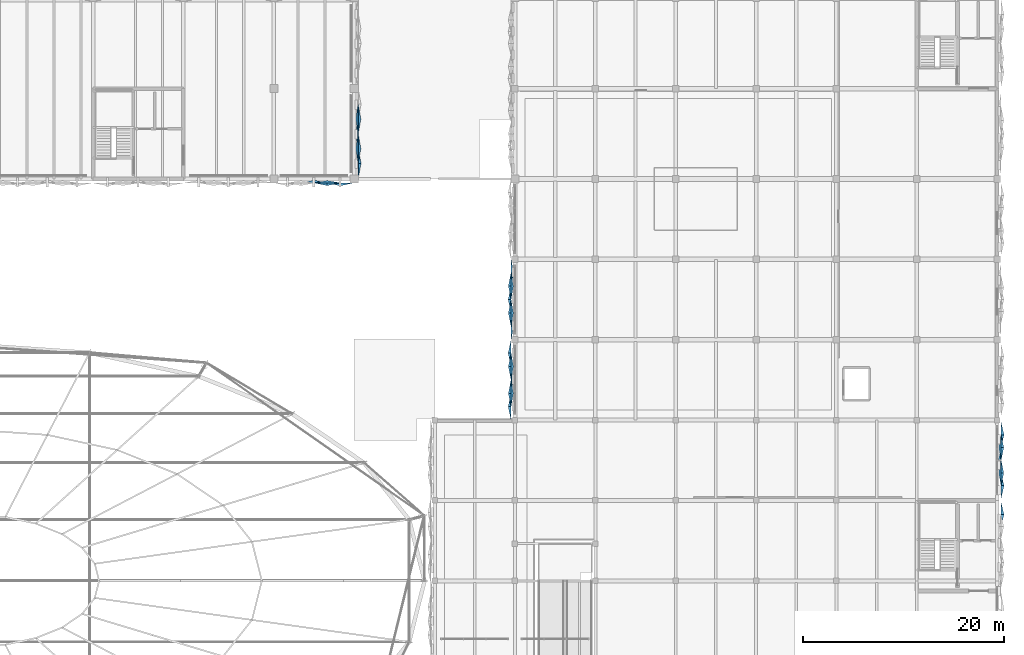
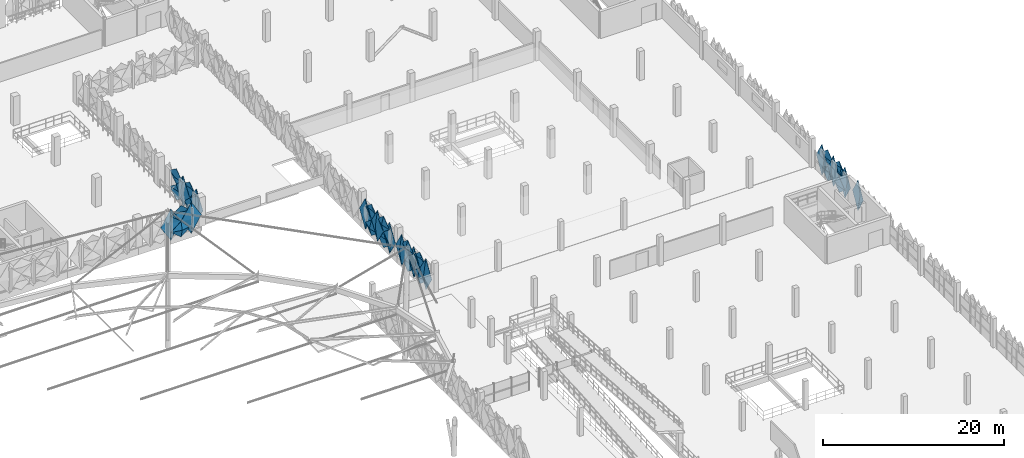
# One storey, part 73 of 96: 32 plates.
"""IFC4 building model written with IfcOpenShell, lengths in metres."""

from ifc_helpers import new_model, si_unit, derived_unit, direction, frame, origin, place, context, subcontext, project, spatial, polygons, material, layer, layer_set, type_object, element, save


model = new_model("IFC4")

# Units and contexts
model_context = context("Model", 3, precision=1e-05, world=origin(), true_north=direction((0.0, 1.0)))
body_context = subcontext(model_context, "Body", "Model", "MODEL_VIEW")
ifc_project = project(units=[si_unit("LENGTHUNIT", "METRE"), si_unit("AREAUNIT", "SQUARE_METRE"), si_unit("VOLUMEUNIT", "CUBIC_METRE"), si_unit("PLANEANGLEUNIT", "RADIAN"), si_unit("MASSUNIT", "GRAM", prefix="KILO"), si_unit("THERMODYNAMICTEMPERATUREUNIT", "KELVIN"), derived_unit("THERMALTRANSMITTANCEUNIT", [(si_unit("POWERUNIT", "WATT"), 1), (si_unit("AREAUNIT", "SQUARE_METRE"), -1), (si_unit("THERMODYNAMICTEMPERATUREUNIT", "KELVIN"), -1)])], contexts=[model_context])

# Site, building, storey
site_placement = place(None, origin())
site = spatial("IfcSite", under=ifc_project, at=site_placement, CompositionType="ELEMENT")
building_placement = place(site_placement, origin())
building = spatial("IfcBuilding", under=site, at=building_placement, Name="Haiyu Intermodal Mobility Hub", CompositionType="ELEMENT")
storey_placement = place(building_placement, frame((0.0, 0.0, 9.5)))
storey = spatial("IfcBuildingStorey", under=building, at=storey_placement, Name="L02", CompositionType="ELEMENT", Elevation=9.5)

# Plates
ifc_material = material(Name="Anodised aluminium 6063-T6", Category="aluminium")
ifc_layer_1 = layer(ifc_material, 0.01806640625)
ifc_layer_set_1 = layer_set([ifc_layer_1], Name="Anodised aluminium 6063-T6")
plate_type_1 = type_object("IfcPlateType", Name="PLT-FC01", PredefinedType="USERDEFINED", material=ifc_layer_set_1)
plate_1_placement = place(storey_placement, origin())
element("IfcPlate", 1, at=plate_1_placement, inside=storey, type_object=plate_type_1, Name="PLT-PYR-0993", ObjectType="FACADE CASSETTE", PredefinedType="USERDEFINED", context=body_context, shape_type="Tessellation", body=[
    polygons([(144.613037109375, 103.60009765625, -0.510009765625), (145.89990234375, 103.60009765625, 1.60009765625), (144.613037109375, 103.60009765625, 3.7099609375), (143.326904296875, 103.60009765625, 1.60009765625), (144.613037109375, 103.320068359375, 1.60009765625), (144.613037109375, 103.6220703125, -0.510009765625), (145.89990234375, 103.6220703125, 1.60009765625), (144.613037109375, 103.6220703125, 3.7099609375), (143.326904296875, 103.6220703125, 1.60009765625), (144.613037109375, 103.342041015625, 1.60009765625)], [[[1, 2, 5]], [[2, 3, 5]], [[3, 4, 5]], [[4, 1, 5]], [[7, 6, 10]], [[8, 7, 10]], [[9, 8, 10]], [[6, 9, 10]], [[1, 6, 7, 2]], [[2, 7, 8, 3]], [[3, 8, 9, 4]], [[4, 9, 6, 1]]], closed=True),
])
plate_2_placement = place(storey_placement, origin())
element("IfcPlate", 2, at=plate_2_placement, inside=storey, type_object=plate_type_1, Name="PLT-PYR-1694", ObjectType="FACADE CASSETTE", PredefinedType="USERDEFINED", context=body_context, shape_type="Tessellation", body=[
    polygons([(210.39990234375, 78.532958984375, -0.510009765625), (210.39990234375, 79.780029296875, 1.60009765625), (210.39990234375, 78.532958984375, 3.7099609375), (210.39990234375, 77.287109375, 1.60009765625), (210.679931640625, 78.532958984375, 1.60009765625), (210.3779296875, 78.532958984375, -0.510009765625), (210.3779296875, 79.780029296875, 1.60009765625), (210.3779296875, 78.532958984375, 3.7099609375), (210.3779296875, 77.287109375, 1.60009765625), (210.657958984375, 78.532958984375, 1.60009765625)], [[[1, 2, 5]], [[2, 3, 5]], [[3, 4, 5]], [[4, 1, 5]], [[7, 6, 10]], [[8, 7, 10]], [[9, 8, 10]], [[6, 9, 10]], [[1, 6, 7, 2]], [[2, 7, 8, 3]], [[3, 8, 9, 4]], [[4, 9, 6, 1]]], closed=True),
])
plate_3_placement = place(storey_placement, origin())
element("IfcPlate", 3, at=plate_3_placement, inside=storey, type_object=plate_type_1, Name="PLT-PYR-2112", ObjectType="FACADE CASSETTE", PredefinedType="USERDEFINED", context=body_context, shape_type="Tessellation", body=[
    polygons([(161.60009765625, 81.3330078125, -0.510009765625), (161.60009765625, 80.02001953125, 1.60009765625), (161.60009765625, 81.3330078125, 3.7099609375), (161.60009765625, 82.64697265625, 1.60009765625), (161.320068359375, 81.3330078125, 1.60009765625), (161.6220703125, 81.3330078125, -0.510009765625), (161.6220703125, 80.02001953125, 1.60009765625), (161.6220703125, 81.3330078125, 3.7099609375), (161.6220703125, 82.64697265625, 1.60009765625), (161.342041015625, 81.3330078125, 1.60009765625)], [[[1, 2, 5]], [[2, 3, 5]], [[3, 4, 5]], [[4, 1, 5]], [[7, 6, 10]], [[8, 7, 10]], [[9, 8, 10]], [[6, 9, 10]], [[1, 6, 7, 2]], [[2, 7, 8, 3]], [[3, 8, 9, 4]], [[4, 9, 6, 1]]], closed=True),
])
ifc_layer_2 = layer(ifc_material, 0.02001953125)
ifc_layer_set_2 = layer_set([ifc_layer_2], Name="Anodised aluminium 6063-T6")
plate_type_2 = type_object("IfcPlateType", Name="PLT-FC02", PredefinedType="USERDEFINED", material=ifc_layer_set_2)
plate_4_placement = place(storey_placement, origin())
element("IfcPlate", 4, at=plate_4_placement, inside=storey, type_object=plate_type_2, Name="PLT-PYR-2119", ObjectType="FACADE CASSETTE", PredefinedType="USERDEFINED", context=body_context, shape_type="Tessellation", body=[
    polygons([(161.60009765625, 89.3330078125, -0.510009765625), (161.60009765625, 88.02001953125, 1.60009765625), (161.60009765625, 89.3330078125, 3.7099609375), (161.60009765625, 90.64697265625, 1.60009765625), (161.860107421875, 89.3330078125, 1.60009765625), (161.6220703125, 89.3330078125, -0.510009765625), (161.6220703125, 88.02001953125, 1.60009765625), (161.6220703125, 89.3330078125, 3.7099609375), (161.6220703125, 90.64697265625, 1.60009765625), (161.882080078125, 89.3330078125, 1.60009765625)], [[[1, 2, 5]], [[2, 3, 5]], [[3, 4, 5]], [[4, 1, 5]], [[7, 6, 10]], [[8, 7, 10]], [[9, 8, 10]], [[6, 9, 10]], [[1, 6, 7, 2]], [[2, 7, 8, 3]], [[3, 8, 9, 4]], [[4, 9, 6, 1]]], closed=True),
])
ifc_layer_3 = layer(ifc_material, 0.01806640625)
ifc_layer_set_3 = layer_set([ifc_layer_3], Name="Anodised aluminium 6063-T6")
plate_type_3 = type_object("IfcPlateType", Name="PLT-FC03", PredefinedType="USERDEFINED", material=ifc_layer_set_3)
plate_5_placement = place(storey_placement, origin())
element("IfcPlate", 5, at=plate_5_placement, inside=storey, type_object=plate_type_3, Name="PLT-PYR-1377", ObjectType="FACADE CASSETTE", PredefinedType="USERDEFINED", context=body_context, shape_type="Tessellation", body=[
    polygons([(210.39990234375, 70.60009765625, -0.510009765625), (210.39990234375, 71.780029296875, 1.60009765625), (210.39990234375, 70.60009765625, 3.7099609375), (210.39990234375, 69.419921875, 1.60009765625), (210.679931640625, 70.60009765625, 1.60009765625), (210.3779296875, 70.60009765625, -0.510009765625), (210.3779296875, 71.780029296875, 1.60009765625), (210.3779296875, 70.60009765625, 3.7099609375), (210.3779296875, 69.419921875, 1.60009765625), (210.657958984375, 70.60009765625, 1.60009765625)], [[[1, 2, 5]], [[2, 3, 5]], [[3, 4, 5]], [[4, 1, 5]], [[7, 6, 10]], [[8, 7, 10]], [[9, 8, 10]], [[6, 9, 10]], [[1, 6, 7, 2]], [[2, 7, 8, 3]], [[3, 8, 9, 4]], [[4, 9, 6, 1]]], closed=True),
])
ifc_layer_4 = layer(ifc_material, 0.01806640625)
ifc_layer_set_4 = layer_set([ifc_layer_4], Name="Anodised aluminium 6063-T6")
plate_type_4 = type_object("IfcPlateType", Name="PLT-FC05", PredefinedType="USERDEFINED", material=ifc_layer_set_4)
plate_6_placement = place(storey_placement, origin())
element("IfcPlate", 6, at=plate_6_placement, inside=storey, type_object=plate_type_4, Name="PLT-PYR-0663", ObjectType="FACADE CASSETTE", PredefinedType="USERDEFINED", context=body_context, shape_type="Tessellation", body=[
    polygons([(146.39990234375, 105.552978515625, -0.510009765625), (146.39990234375, 107.007080078125, 1.60009765625), (146.39990234375, 105.552978515625, 3.7099609375), (146.39990234375, 104.10009765625, 1.60009765625), (146.679931640625, 105.552978515625, 1.60009765625), (146.3779296875, 105.552978515625, -0.510009765625), (146.3779296875, 107.007080078125, 1.60009765625), (146.3779296875, 105.552978515625, 3.7099609375), (146.3779296875, 104.10009765625, 1.60009765625), (146.657958984375, 105.552978515625, 1.60009765625)], [[[1, 2, 5]], [[2, 3, 5]], [[3, 4, 5]], [[4, 1, 5]], [[7, 6, 10]], [[8, 7, 10]], [[9, 8, 10]], [[6, 9, 10]], [[1, 6, 7, 2]], [[2, 7, 8, 3]], [[3, 8, 9, 4]], [[4, 9, 6, 1]]], closed=True),
])
plate_7_placement = place(storey_placement, origin())
element("IfcPlate", 7, at=plate_7_placement, inside=storey, type_object=plate_type_4, Name="PLT-PYR-0667", ObjectType="FACADE CASSETTE", PredefinedType="USERDEFINED", context=body_context, shape_type="Tessellation", body=[
    polygons([(146.39990234375, 109.972900390625, -0.52001953125), (146.39990234375, 111.427001953125, 0.530029296875), (146.39990234375, 109.972900390625, 1.580078125), (146.39990234375, 108.52001953125, 0.530029296875), (146.659912109375, 109.972900390625, 0.530029296875), (146.3779296875, 109.972900390625, -0.52001953125), (146.3779296875, 111.427001953125, 0.530029296875), (146.3779296875, 109.972900390625, 1.580078125), (146.3779296875, 108.52001953125, 0.530029296875), (146.637939453125, 109.972900390625, 0.530029296875)], [[[1, 2, 5]], [[2, 3, 5]], [[3, 4, 5]], [[4, 1, 5]], [[7, 6, 10]], [[8, 7, 10]], [[9, 8, 10]], [[6, 9, 10]], [[1, 6, 7, 2]], [[2, 7, 8, 3]], [[3, 8, 9, 4]], [[4, 9, 6, 1]]], closed=True),
])
plate_8_placement = place(storey_placement, origin())
element("IfcPlate", 8, at=plate_8_placement, inside=storey, type_object=plate_type_4, Name="PLT-PYR-0991", ObjectType="FACADE CASSETTE", PredefinedType="USERDEFINED", context=body_context, shape_type="Tessellation", body=[
    polygons([(143.306884765625, 103.60009765625, -0.52001953125), (144.593017578125, 103.60009765625, 0.530029296875), (143.306884765625, 103.60009765625, 1.580078125), (142.02001953125, 103.60009765625, 0.530029296875), (143.306884765625, 103.340087890625, 0.530029296875), (143.306884765625, 103.6220703125, -0.52001953125), (144.593017578125, 103.6220703125, 0.530029296875), (143.306884765625, 103.6220703125, 1.580078125), (142.02001953125, 103.6220703125, 0.530029296875), (143.306884765625, 103.362060546875, 0.530029296875)], [[[1, 2, 5]], [[2, 3, 5]], [[3, 4, 5]], [[4, 1, 5]], [[7, 6, 10]], [[8, 7, 10]], [[9, 8, 10]], [[6, 9, 10]], [[1, 6, 7, 2]], [[2, 7, 8, 3]], [[3, 8, 9, 4]], [[4, 9, 6, 1]]], closed=True),
])
plate_9_placement = place(storey_placement, origin())
element("IfcPlate", 9, at=plate_9_placement, inside=storey, type_object=plate_type_4, Name="PLT-PYR-1688", ObjectType="FACADE CASSETTE", PredefinedType="USERDEFINED", context=body_context, shape_type="Tessellation", body=[
    polygons([(210.39990234375, 73.467041015625, -0.510009765625), (210.39990234375, 74.712890625, 1.60009765625), (210.39990234375, 73.467041015625, 3.7099609375), (210.39990234375, 72.219970703125, 1.60009765625), (210.679931640625, 73.467041015625, 1.60009765625), (210.3779296875, 73.467041015625, -0.510009765625), (210.3779296875, 74.712890625, 1.60009765625), (210.3779296875, 73.467041015625, 3.7099609375), (210.3779296875, 72.219970703125, 1.60009765625), (210.657958984375, 73.467041015625, 1.60009765625)], [[[1, 2, 5]], [[2, 3, 5]], [[3, 4, 5]], [[4, 1, 5]], [[7, 6, 10]], [[8, 7, 10]], [[9, 8, 10]], [[6, 9, 10]], [[1, 6, 7, 2]], [[2, 7, 8, 3]], [[3, 8, 9, 4]], [[4, 9, 6, 1]]], closed=True),
])
plate_10_placement = place(storey_placement, origin())
element("IfcPlate", 10, at=plate_10_placement, inside=storey, type_object=plate_type_4, Name="PLT-PYR-1692", ObjectType="FACADE CASSETTE", PredefinedType="USERDEFINED", context=body_context, shape_type="Tessellation", body=[
    polygons([(210.39990234375, 77.26708984375, -0.52001953125), (210.39990234375, 78.512939453125, 0.530029296875), (210.39990234375, 77.26708984375, 1.580078125), (210.39990234375, 76.02001953125, 0.530029296875), (210.659912109375, 77.26708984375, 0.530029296875), (210.3779296875, 77.26708984375, -0.52001953125), (210.3779296875, 78.512939453125, 0.530029296875), (210.3779296875, 77.26708984375, 1.580078125), (210.3779296875, 76.02001953125, 0.530029296875), (210.637939453125, 77.26708984375, 0.530029296875)], [[[1, 2, 5]], [[2, 3, 5]], [[3, 4, 5]], [[4, 1, 5]], [[7, 6, 10]], [[8, 7, 10]], [[9, 8, 10]], [[6, 9, 10]], [[1, 6, 7, 2]], [[2, 7, 8, 3]], [[3, 8, 9, 4]], [[4, 9, 6, 1]]], closed=True),
])
plate_11_placement = place(storey_placement, origin())
element("IfcPlate", 11, at=plate_11_placement, inside=storey, type_object=plate_type_4, Name="PLT-PYR-2106", ObjectType="FACADE CASSETTE", PredefinedType="USERDEFINED", context=body_context, shape_type="Tessellation", body=[
    polygons([(161.60009765625, 86.6669921875, -0.510009765625), (161.60009765625, 85.35302734375, 1.60009765625), (161.60009765625, 86.6669921875, 3.7099609375), (161.60009765625, 87.97998046875, 1.60009765625), (161.320068359375, 86.6669921875, 1.60009765625), (161.6220703125, 86.6669921875, -0.510009765625), (161.6220703125, 85.35302734375, 1.60009765625), (161.6220703125, 86.6669921875, 3.7099609375), (161.6220703125, 87.97998046875, 1.60009765625), (161.342041015625, 86.6669921875, 1.60009765625)], [[[1, 2, 5]], [[2, 3, 5]], [[3, 4, 5]], [[4, 1, 5]], [[7, 6, 10]], [[8, 7, 10]], [[9, 8, 10]], [[6, 9, 10]], [[1, 6, 7, 2]], [[2, 7, 8, 3]], [[3, 8, 9, 4]], [[4, 9, 6, 1]]], closed=True),
])
plate_12_placement = place(storey_placement, origin())
element("IfcPlate", 12, at=plate_12_placement, inside=storey, type_object=plate_type_4, Name="PLT-PYR-2110", ObjectType="FACADE CASSETTE", PredefinedType="USERDEFINED", context=body_context, shape_type="Tessellation", body=[
    polygons([(161.60009765625, 82.6669921875, -0.52001953125), (161.60009765625, 81.35302734375, 0.530029296875), (161.60009765625, 82.6669921875, 1.580078125), (161.60009765625, 83.97998046875, 0.530029296875), (161.340087890625, 82.6669921875, 0.530029296875), (161.6220703125, 82.6669921875, -0.52001953125), (161.6220703125, 81.35302734375, 0.530029296875), (161.6220703125, 82.6669921875, 1.580078125), (161.6220703125, 83.97998046875, 0.530029296875), (161.362060546875, 82.6669921875, 0.530029296875)], [[[1, 2, 5]], [[2, 3, 5]], [[3, 4, 5]], [[4, 1, 5]], [[7, 6, 10]], [[8, 7, 10]], [[9, 8, 10]], [[6, 9, 10]], [[1, 6, 7, 2]], [[2, 7, 8, 3]], [[3, 8, 9, 4]], [[4, 9, 6, 1]]], closed=True),
])
plate_13_placement = place(storey_placement, origin())
element("IfcPlate", 13, at=plate_13_placement, inside=storey, type_object=plate_type_4, Name="PLT-PYR-2114", ObjectType="FACADE CASSETTE", PredefinedType="USERDEFINED", context=body_context, shape_type="Tessellation", body=[
    polygons([(161.60009765625, 93.3330078125, -0.52001953125), (161.60009765625, 92.02001953125, 0.530029296875), (161.60009765625, 93.3330078125, 1.580078125), (161.60009765625, 94.64697265625, 0.530029296875), (161.340087890625, 93.3330078125, 0.530029296875), (161.6220703125, 93.3330078125, -0.52001953125), (161.6220703125, 92.02001953125, 0.530029296875), (161.6220703125, 93.3330078125, 1.580078125), (161.6220703125, 94.64697265625, 0.530029296875), (161.362060546875, 93.3330078125, 0.530029296875)], [[[1, 2, 5]], [[2, 3, 5]], [[3, 4, 5]], [[4, 1, 5]], [[7, 6, 10]], [[8, 7, 10]], [[9, 8, 10]], [[6, 9, 10]], [[1, 6, 7, 2]], [[2, 7, 8, 3]], [[3, 8, 9, 4]], [[4, 9, 6, 1]]], closed=True),
])
ifc_layer_5 = layer(ifc_material, 0.02001953125)
ifc_layer_set_5 = layer_set([ifc_layer_5], Name="Anodised aluminium 6063-T6")
plate_type_5 = type_object("IfcPlateType", Name="PLT-FC06", PredefinedType="USERDEFINED", material=ifc_layer_set_5)
plate_14_placement = place(storey_placement, origin())
element("IfcPlate", 14, at=plate_14_placement, inside=storey, type_object=plate_type_5, Name="PLT-PYR-0664", ObjectType="FACADE CASSETTE", PredefinedType="USERDEFINED", context=body_context, shape_type="Tessellation", body=[
    polygons([(146.39990234375, 107.027099609375, -0.52001953125), (146.39990234375, 108.47998046875, 0.530029296875), (146.39990234375, 107.027099609375, 1.580078125), (146.39990234375, 105.572998046875, 0.530029296875), (146.179931640625, 107.027099609375, 0.530029296875), (146.3779296875, 107.027099609375, -0.52001953125), (146.3779296875, 108.47998046875, 0.530029296875), (146.3779296875, 107.027099609375, 1.580078125), (146.3779296875, 105.572998046875, 0.530029296875), (146.157958984375, 107.027099609375, 0.530029296875)], [[[1, 2, 5]], [[2, 3, 5]], [[3, 4, 5]], [[4, 1, 5]], [[7, 6, 10]], [[8, 7, 10]], [[9, 8, 10]], [[6, 9, 10]], [[1, 6, 7, 2]], [[2, 7, 8, 3]], [[3, 8, 9, 4]], [[4, 9, 6, 1]]], closed=True),
])
plate_15_placement = place(storey_placement, origin())
element("IfcPlate", 15, at=plate_15_placement, inside=storey, type_object=plate_type_5, Name="PLT-PYR-1689", ObjectType="FACADE CASSETTE", PredefinedType="USERDEFINED", context=body_context, shape_type="Tessellation", body=[
    polygons([(210.39990234375, 74.73291015625, -0.52001953125), (210.39990234375, 75.97998046875, 0.530029296875), (210.39990234375, 74.73291015625, 1.580078125), (210.39990234375, 73.487060546875, 0.530029296875), (210.179931640625, 74.73291015625, 0.530029296875), (210.3779296875, 74.73291015625, -0.52001953125), (210.3779296875, 75.97998046875, 0.530029296875), (210.3779296875, 74.73291015625, 1.580078125), (210.3779296875, 73.487060546875, 0.530029296875), (210.157958984375, 74.73291015625, 0.530029296875)], [[[1, 2, 5]], [[2, 3, 5]], [[3, 4, 5]], [[4, 1, 5]], [[7, 6, 10]], [[8, 7, 10]], [[9, 8, 10]], [[6, 9, 10]], [[1, 6, 7, 2]], [[2, 7, 8, 3]], [[3, 8, 9, 4]], [[4, 9, 6, 1]]], closed=True),
])
plate_16_placement = place(storey_placement, origin())
element("IfcPlate", 16, at=plate_16_placement, inside=storey, type_object=plate_type_5, Name="PLT-PYR-2107", ObjectType="FACADE CASSETTE", PredefinedType="USERDEFINED", context=body_context, shape_type="Tessellation", body=[
    polygons([(161.60009765625, 85.3330078125, -0.52001953125), (161.60009765625, 84.02001953125, 0.530029296875), (161.60009765625, 85.3330078125, 1.580078125), (161.60009765625, 86.64697265625, 0.530029296875), (161.820068359375, 85.3330078125, 0.530029296875), (161.6220703125, 85.3330078125, -0.52001953125), (161.6220703125, 84.02001953125, 0.530029296875), (161.6220703125, 85.3330078125, 1.580078125), (161.6220703125, 86.64697265625, 0.530029296875), (161.842041015625, 85.3330078125, 0.530029296875)], [[[1, 2, 5]], [[2, 3, 5]], [[3, 4, 5]], [[4, 1, 5]], [[7, 6, 10]], [[8, 7, 10]], [[9, 8, 10]], [[6, 9, 10]], [[1, 6, 7, 2]], [[2, 7, 8, 3]], [[3, 8, 9, 4]], [[4, 9, 6, 1]]], closed=True),
])
plate_17_placement = place(storey_placement, origin())
element("IfcPlate", 17, at=plate_17_placement, inside=storey, type_object=plate_type_5, Name="PLT-PYR-2113", ObjectType="FACADE CASSETTE", PredefinedType="USERDEFINED", context=body_context, shape_type="Tessellation", body=[
    polygons([(161.60009765625, 94.6669921875, -0.510009765625), (161.60009765625, 93.35302734375, 1.60009765625), (161.60009765625, 94.6669921875, 3.7099609375), (161.60009765625, 95.97998046875, 1.60009765625), (161.860107421875, 94.6669921875, 1.60009765625), (161.6220703125, 94.6669921875, -0.510009765625), (161.6220703125, 93.35302734375, 1.60009765625), (161.6220703125, 94.6669921875, 3.7099609375), (161.6220703125, 95.97998046875, 1.60009765625), (161.882080078125, 94.6669921875, 1.60009765625)], [[[1, 2, 5]], [[2, 3, 5]], [[3, 4, 5]], [[4, 1, 5]], [[7, 6, 10]], [[8, 7, 10]], [[9, 8, 10]], [[6, 9, 10]], [[1, 6, 7, 2]], [[2, 7, 8, 3]], [[3, 8, 9, 4]], [[4, 9, 6, 1]]], closed=True),
])
plate_18_placement = place(storey_placement, origin())
element("IfcPlate", 18, at=plate_18_placement, inside=storey, type_object=plate_type_5, Name="PLT-PYR-2117", ObjectType="FACADE CASSETTE", PredefinedType="USERDEFINED", context=body_context, shape_type="Tessellation", body=[
    polygons([(161.60009765625, 90.6669921875, -0.52001953125), (161.60009765625, 89.35302734375, 0.530029296875), (161.60009765625, 90.6669921875, 1.580078125), (161.60009765625, 91.97998046875, 0.530029296875), (161.820068359375, 90.6669921875, 0.530029296875), (161.6220703125, 90.6669921875, -0.52001953125), (161.6220703125, 89.35302734375, 0.530029296875), (161.6220703125, 90.6669921875, 1.580078125), (161.6220703125, 91.97998046875, 0.530029296875), (161.842041015625, 90.6669921875, 0.530029296875)], [[[1, 2, 5]], [[2, 3, 5]], [[3, 4, 5]], [[4, 1, 5]], [[7, 6, 10]], [[8, 7, 10]], [[9, 8, 10]], [[6, 9, 10]], [[1, 6, 7, 2]], [[2, 7, 8, 3]], [[3, 8, 9, 4]], [[4, 9, 6, 1]]], closed=True),
])
ifc_layer_6 = layer(ifc_material, 0.02197265625)
ifc_layer_set_6 = layer_set([ifc_layer_6], Name="Anodised aluminium 6063-T6")
plate_type_6 = type_object("IfcPlateType", Name="PLT-FC07", PredefinedType="USERDEFINED", material=ifc_layer_set_6)
plate_19_placement = place(storey_placement, origin())
element("IfcPlate", 19, at=plate_19_placement, inside=storey, type_object=plate_type_6, Name="PLT-PYR-0665", ObjectType="FACADE CASSETTE", PredefinedType="USERDEFINED", context=body_context, shape_type="Tessellation", body=[
    polygons([(146.39990234375, 107.027099609375, 1.6201171875), (146.39990234375, 108.47998046875, 2.669921875), (146.39990234375, 107.027099609375, 3.719970703125), (146.39990234375, 105.572998046875, 2.669921875), (146.659912109375, 107.027099609375, 2.669921875), (146.3779296875, 107.027099609375, 1.6201171875), (146.3779296875, 108.47998046875, 2.669921875), (146.3779296875, 107.027099609375, 3.719970703125), (146.3779296875, 105.572998046875, 2.669921875), (146.637939453125, 107.027099609375, 2.669921875)], [[[1, 2, 5]], [[2, 3, 5]], [[3, 4, 5]], [[4, 1, 5]], [[7, 6, 10]], [[8, 7, 10]], [[9, 8, 10]], [[6, 9, 10]], [[1, 6, 7, 2]], [[2, 7, 8, 3]], [[3, 8, 9, 4]], [[4, 9, 6, 1]]], closed=True),
])
plate_20_placement = place(storey_placement, origin())
element("IfcPlate", 20, at=plate_20_placement, inside=storey, type_object=plate_type_6, Name="PLT-PYR-1690", ObjectType="FACADE CASSETTE", PredefinedType="USERDEFINED", context=body_context, shape_type="Tessellation", body=[
    polygons([(210.39990234375, 74.73291015625, 1.6201171875), (210.39990234375, 75.97998046875, 2.669921875), (210.39990234375, 74.73291015625, 3.719970703125), (210.39990234375, 73.487060546875, 2.669921875), (210.659912109375, 74.73291015625, 2.669921875), (210.3779296875, 74.73291015625, 1.6201171875), (210.3779296875, 75.97998046875, 2.669921875), (210.3779296875, 74.73291015625, 3.719970703125), (210.3779296875, 73.487060546875, 2.669921875), (210.637939453125, 74.73291015625, 2.669921875)], [[[1, 2, 5]], [[2, 3, 5]], [[3, 4, 5]], [[4, 1, 5]], [[7, 6, 10]], [[8, 7, 10]], [[9, 8, 10]], [[6, 9, 10]], [[1, 6, 7, 2]], [[2, 7, 8, 3]], [[3, 8, 9, 4]], [[4, 9, 6, 1]]], closed=True),
])
plate_21_placement = place(storey_placement, origin())
element("IfcPlate", 21, at=plate_21_placement, inside=storey, type_object=plate_type_6, Name="PLT-PYR-2108", ObjectType="FACADE CASSETTE", PredefinedType="USERDEFINED", context=body_context, shape_type="Tessellation", body=[
    polygons([(161.60009765625, 85.3330078125, 1.6201171875), (161.60009765625, 84.02001953125, 2.669921875), (161.60009765625, 85.3330078125, 3.719970703125), (161.60009765625, 86.64697265625, 2.669921875), (161.340087890625, 85.3330078125, 2.669921875), (161.6220703125, 85.3330078125, 1.6201171875), (161.6220703125, 84.02001953125, 2.669921875), (161.6220703125, 85.3330078125, 3.719970703125), (161.6220703125, 86.64697265625, 2.669921875), (161.362060546875, 85.3330078125, 2.669921875)], [[[1, 2, 5]], [[2, 3, 5]], [[3, 4, 5]], [[4, 1, 5]], [[7, 6, 10]], [[8, 7, 10]], [[9, 8, 10]], [[6, 9, 10]], [[1, 6, 7, 2]], [[2, 7, 8, 3]], [[3, 8, 9, 4]], [[4, 9, 6, 1]]], closed=True),
])
plate_22_placement = place(storey_placement, origin())
element("IfcPlate", 22, at=plate_22_placement, inside=storey, type_object=plate_type_6, Name="PLT-PYR-2116", ObjectType="FACADE CASSETTE", PredefinedType="USERDEFINED", context=body_context, shape_type="Tessellation", body=[
    polygons([(161.60009765625, 92.0, -0.510009765625), (161.60009765625, 90.68701171875, 1.60009765625), (161.60009765625, 92.0, 3.7099609375), (161.60009765625, 93.31298828125, 1.60009765625), (161.320068359375, 92.0, 1.60009765625), (161.6220703125, 92.0, -0.510009765625), (161.6220703125, 90.68701171875, 1.60009765625), (161.6220703125, 92.0, 3.7099609375), (161.6220703125, 93.31298828125, 1.60009765625), (161.342041015625, 92.0, 1.60009765625)], [[[1, 2, 5]], [[2, 3, 5]], [[3, 4, 5]], [[4, 1, 5]], [[7, 6, 10]], [[8, 7, 10]], [[9, 8, 10]], [[6, 9, 10]], [[1, 6, 7, 2]], [[2, 7, 8, 3]], [[3, 8, 9, 4]], [[4, 9, 6, 1]]], closed=True),
])
plate_23_placement = place(storey_placement, origin())
element("IfcPlate", 23, at=plate_23_placement, inside=storey, type_object=plate_type_6, Name="PLT-PYR-2118", ObjectType="FACADE CASSETTE", PredefinedType="USERDEFINED", context=body_context, shape_type="Tessellation", body=[
    polygons([(161.60009765625, 90.6669921875, 1.6201171875), (161.60009765625, 89.35302734375, 2.669921875), (161.60009765625, 90.6669921875, 3.719970703125), (161.60009765625, 91.97998046875, 2.669921875), (161.340087890625, 90.6669921875, 2.669921875), (161.6220703125, 90.6669921875, 1.6201171875), (161.6220703125, 89.35302734375, 2.669921875), (161.6220703125, 90.6669921875, 3.719970703125), (161.6220703125, 91.97998046875, 2.669921875), (161.362060546875, 90.6669921875, 2.669921875)], [[[1, 2, 5]], [[2, 3, 5]], [[3, 4, 5]], [[4, 1, 5]], [[7, 6, 10]], [[8, 7, 10]], [[9, 8, 10]], [[6, 9, 10]], [[1, 6, 7, 2]], [[2, 7, 8, 3]], [[3, 8, 9, 4]], [[4, 9, 6, 1]]], closed=True),
])
ifc_layer_7 = layer(ifc_material, 0.02392578125)
ifc_layer_set_7 = layer_set([ifc_layer_7], Name="Anodised aluminium 6063-T6")
plate_type_7 = type_object("IfcPlateType", Name="PLT-FC08", PredefinedType="USERDEFINED", material=ifc_layer_set_7)
plate_24_placement = place(storey_placement, origin())
element("IfcPlate", 24, at=plate_24_placement, inside=storey, type_object=plate_type_7, Name="PLT-PYR-0666", ObjectType="FACADE CASSETTE", PredefinedType="USERDEFINED", context=body_context, shape_type="Tessellation", body=[
    polygons([(146.39990234375, 108.5, -0.510009765625), (146.39990234375, 109.952880859375, 1.60009765625), (146.39990234375, 108.5, 3.7099609375), (146.39990234375, 107.047119140625, 1.60009765625), (146.139892578125, 108.5, 1.60009765625), (146.3779296875, 108.5, -0.510009765625), (146.3779296875, 109.952880859375, 1.60009765625), (146.3779296875, 108.5, 3.7099609375), (146.3779296875, 107.047119140625, 1.60009765625), (146.117919921875, 108.5, 1.60009765625)], [[[1, 2, 5]], [[2, 3, 5]], [[3, 4, 5]], [[4, 1, 5]], [[7, 6, 10]], [[8, 7, 10]], [[9, 8, 10]], [[6, 9, 10]], [[1, 6, 7, 2]], [[2, 7, 8, 3]], [[3, 8, 9, 4]], [[4, 9, 6, 1]]], closed=True),
])
plate_25_placement = place(storey_placement, origin())
element("IfcPlate", 25, at=plate_25_placement, inside=storey, type_object=plate_type_7, Name="PLT-PYR-0668", ObjectType="FACADE CASSETTE", PredefinedType="USERDEFINED", context=body_context, shape_type="Tessellation", body=[
    polygons([(146.39990234375, 109.972900390625, 1.6201171875), (146.39990234375, 111.427001953125, 2.669921875), (146.39990234375, 109.972900390625, 3.719970703125), (146.39990234375, 108.52001953125, 2.669921875), (146.179931640625, 109.972900390625, 2.669921875), (146.3779296875, 109.972900390625, 1.6201171875), (146.3779296875, 111.427001953125, 2.669921875), (146.3779296875, 109.972900390625, 3.719970703125), (146.3779296875, 108.52001953125, 2.669921875), (146.157958984375, 109.972900390625, 2.669921875)], [[[1, 2, 5]], [[2, 3, 5]], [[3, 4, 5]], [[4, 1, 5]], [[7, 6, 10]], [[8, 7, 10]], [[9, 8, 10]], [[6, 9, 10]], [[1, 6, 7, 2]], [[2, 7, 8, 3]], [[3, 8, 9, 4]], [[4, 9, 6, 1]]], closed=True),
])
plate_26_placement = place(storey_placement, origin())
element("IfcPlate", 26, at=plate_26_placement, inside=storey, type_object=plate_type_7, Name="PLT-PYR-0990", ObjectType="FACADE CASSETTE", PredefinedType="USERDEFINED", context=body_context, shape_type="Tessellation", body=[
    polygons([(142.0, 103.60009765625, -0.510009765625), (143.287109375, 103.60009765625, 1.60009765625), (142.0, 103.60009765625, 3.7099609375), (140.712890625, 103.60009765625, 1.60009765625), (142.0, 103.860107421875, 1.60009765625), (142.0, 103.6220703125, -0.510009765625), (143.287109375, 103.6220703125, 1.60009765625), (142.0, 103.6220703125, 3.7099609375), (140.712890625, 103.6220703125, 1.60009765625), (142.0, 103.882080078125, 1.60009765625)], [[[1, 2, 5]], [[2, 3, 5]], [[3, 4, 5]], [[4, 1, 5]], [[7, 6, 10]], [[8, 7, 10]], [[9, 8, 10]], [[6, 9, 10]], [[1, 6, 7, 2]], [[2, 7, 8, 3]], [[3, 8, 9, 4]], [[4, 9, 6, 1]]], closed=True),
])
plate_27_placement = place(storey_placement, origin())
element("IfcPlate", 27, at=plate_27_placement, inside=storey, type_object=plate_type_7, Name="PLT-PYR-0992", ObjectType="FACADE CASSETTE", PredefinedType="USERDEFINED", context=body_context, shape_type="Tessellation", body=[
    polygons([(143.306884765625, 103.60009765625, 1.6201171875), (144.593017578125, 103.60009765625, 2.669921875), (143.306884765625, 103.60009765625, 3.719970703125), (142.02001953125, 103.60009765625, 2.669921875), (143.306884765625, 103.820068359375, 2.669921875), (143.306884765625, 103.6220703125, 1.6201171875), (144.593017578125, 103.6220703125, 2.669921875), (143.306884765625, 103.6220703125, 3.719970703125), (142.02001953125, 103.6220703125, 2.669921875), (143.306884765625, 103.842041015625, 2.669921875)], [[[1, 2, 5]], [[2, 3, 5]], [[3, 4, 5]], [[4, 1, 5]], [[7, 6, 10]], [[8, 7, 10]], [[9, 8, 10]], [[6, 9, 10]], [[1, 6, 7, 2]], [[2, 7, 8, 3]], [[3, 8, 9, 4]], [[4, 9, 6, 1]]], closed=True),
])
plate_28_placement = place(storey_placement, origin())
element("IfcPlate", 28, at=plate_28_placement, inside=storey, type_object=plate_type_7, Name="PLT-PYR-1691", ObjectType="FACADE CASSETTE", PredefinedType="USERDEFINED", context=body_context, shape_type="Tessellation", body=[
    polygons([(210.39990234375, 76.0, -0.510009765625), (210.39990234375, 77.2470703125, 1.60009765625), (210.39990234375, 76.0, 3.7099609375), (210.39990234375, 74.7529296875, 1.60009765625), (210.139892578125, 76.0, 1.60009765625), (210.3779296875, 76.0, -0.510009765625), (210.3779296875, 77.2470703125, 1.60009765625), (210.3779296875, 76.0, 3.7099609375), (210.3779296875, 74.7529296875, 1.60009765625), (210.117919921875, 76.0, 1.60009765625)], [[[1, 2, 5]], [[2, 3, 5]], [[3, 4, 5]], [[4, 1, 5]], [[7, 6, 10]], [[8, 7, 10]], [[9, 8, 10]], [[6, 9, 10]], [[1, 6, 7, 2]], [[2, 7, 8, 3]], [[3, 8, 9, 4]], [[4, 9, 6, 1]]], closed=True),
])
plate_29_placement = place(storey_placement, origin())
element("IfcPlate", 29, at=plate_29_placement, inside=storey, type_object=plate_type_7, Name="PLT-PYR-1693", ObjectType="FACADE CASSETTE", PredefinedType="USERDEFINED", context=body_context, shape_type="Tessellation", body=[
    polygons([(210.39990234375, 77.26708984375, 1.6201171875), (210.39990234375, 78.512939453125, 2.669921875), (210.39990234375, 77.26708984375, 3.719970703125), (210.39990234375, 76.02001953125, 2.669921875), (210.179931640625, 77.26708984375, 2.669921875), (210.3779296875, 77.26708984375, 1.6201171875), (210.3779296875, 78.512939453125, 2.669921875), (210.3779296875, 77.26708984375, 3.719970703125), (210.3779296875, 76.02001953125, 2.669921875), (210.157958984375, 77.26708984375, 2.669921875)], [[[1, 2, 5]], [[2, 3, 5]], [[3, 4, 5]], [[4, 1, 5]], [[7, 6, 10]], [[8, 7, 10]], [[9, 8, 10]], [[6, 9, 10]], [[1, 6, 7, 2]], [[2, 7, 8, 3]], [[3, 8, 9, 4]], [[4, 9, 6, 1]]], closed=True),
])
plate_30_placement = place(storey_placement, origin())
element("IfcPlate", 30, at=plate_30_placement, inside=storey, type_object=plate_type_7, Name="PLT-PYR-2109", ObjectType="FACADE CASSETTE", PredefinedType="USERDEFINED", context=body_context, shape_type="Tessellation", body=[
    polygons([(161.60009765625, 84.0, -0.510009765625), (161.60009765625, 82.68701171875, 1.60009765625), (161.60009765625, 84.0, 3.7099609375), (161.60009765625, 85.31298828125, 1.60009765625), (161.860107421875, 84.0, 1.60009765625), (161.6220703125, 84.0, -0.510009765625), (161.6220703125, 82.68701171875, 1.60009765625), (161.6220703125, 84.0, 3.7099609375), (161.6220703125, 85.31298828125, 1.60009765625), (161.882080078125, 84.0, 1.60009765625)], [[[1, 2, 5]], [[2, 3, 5]], [[3, 4, 5]], [[4, 1, 5]], [[7, 6, 10]], [[8, 7, 10]], [[9, 8, 10]], [[6, 9, 10]], [[1, 6, 7, 2]], [[2, 7, 8, 3]], [[3, 8, 9, 4]], [[4, 9, 6, 1]]], closed=True),
])
plate_31_placement = place(storey_placement, origin())
element("IfcPlate", 31, at=plate_31_placement, inside=storey, type_object=plate_type_7, Name="PLT-PYR-2111", ObjectType="FACADE CASSETTE", PredefinedType="USERDEFINED", context=body_context, shape_type="Tessellation", body=[
    polygons([(161.60009765625, 82.6669921875, 1.6201171875), (161.60009765625, 81.35302734375, 2.669921875), (161.60009765625, 82.6669921875, 3.719970703125), (161.60009765625, 83.97998046875, 2.669921875), (161.820068359375, 82.6669921875, 2.669921875), (161.6220703125, 82.6669921875, 1.6201171875), (161.6220703125, 81.35302734375, 2.669921875), (161.6220703125, 82.6669921875, 3.719970703125), (161.6220703125, 83.97998046875, 2.669921875), (161.842041015625, 82.6669921875, 2.669921875)], [[[1, 2, 5]], [[2, 3, 5]], [[3, 4, 5]], [[4, 1, 5]], [[7, 6, 10]], [[8, 7, 10]], [[9, 8, 10]], [[6, 9, 10]], [[1, 6, 7, 2]], [[2, 7, 8, 3]], [[3, 8, 9, 4]], [[4, 9, 6, 1]]], closed=True),
])
plate_32_placement = place(storey_placement, origin())
element("IfcPlate", 32, at=plate_32_placement, inside=storey, type_object=plate_type_7, Name="PLT-PYR-2115", ObjectType="FACADE CASSETTE", PredefinedType="USERDEFINED", context=body_context, shape_type="Tessellation", body=[
    polygons([(161.60009765625, 93.3330078125, 1.6201171875), (161.60009765625, 92.02001953125, 2.669921875), (161.60009765625, 93.3330078125, 3.719970703125), (161.60009765625, 94.64697265625, 2.669921875), (161.820068359375, 93.3330078125, 2.669921875), (161.6220703125, 93.3330078125, 1.6201171875), (161.6220703125, 92.02001953125, 2.669921875), (161.6220703125, 93.3330078125, 3.719970703125), (161.6220703125, 94.64697265625, 2.669921875), (161.842041015625, 93.3330078125, 2.669921875)], [[[1, 2, 5]], [[2, 3, 5]], [[3, 4, 5]], [[4, 1, 5]], [[7, 6, 10]], [[8, 7, 10]], [[9, 8, 10]], [[6, 9, 10]], [[1, 6, 7, 2]], [[2, 7, 8, 3]], [[3, 8, 9, 4]], [[4, 9, 6, 1]]], closed=True),
])

save(model, "model.ifc")
